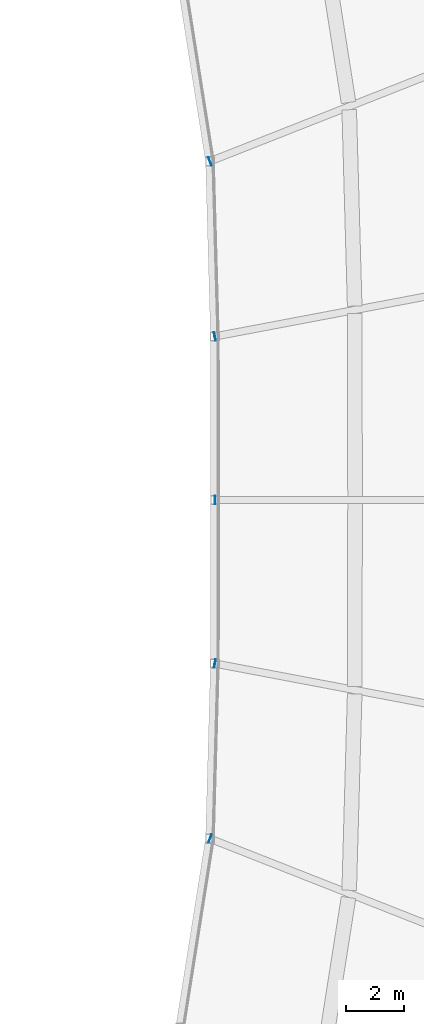
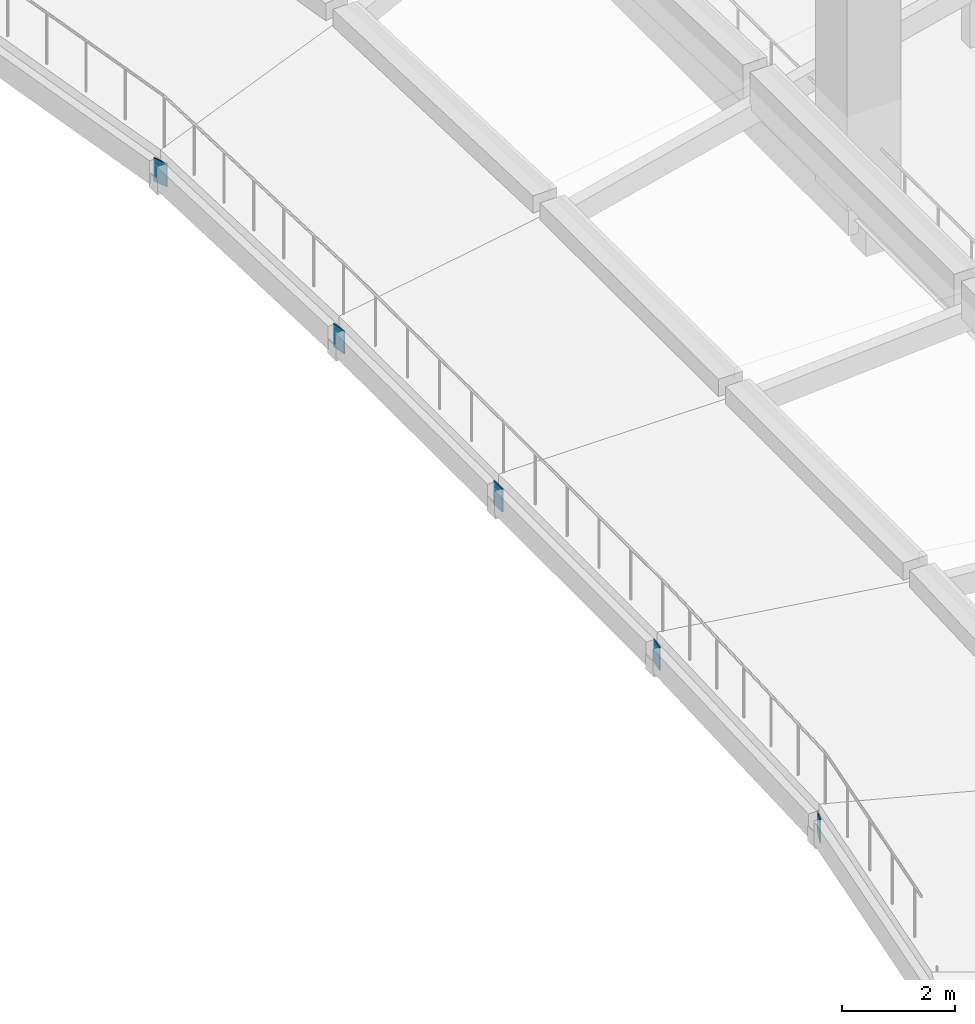
# One storey, part 48 of 77: 5 plates.
"""IFC4 building model written with IfcOpenShell, lengths in metres."""

import ifcopenshell
import ifcopenshell.guid

model = None  # the IFC model being written
_history = None  # IfcOwnerHistory: only IFC2X3 demands one
_inside = {}  # id of a spatial element -> (the spatial element, [elements in it])
_under = {}  # id of a project, library or spatial element -> (it, [spatial elements below it])
_declared = {}  # id of a project -> (the project, [libraries it declares])
_typed = {}  # id of a type object -> (the type object, [elements of that type])
_made_of = {}  # id of a material, layer set ... -> (it, [elements and type objects made of it])


def new_model(schema):
    """Start an empty IFC model of exactly this schema.

    Asked for "IFC4X3", IfcOpenShell would pick the latest addendum, in which some entities
    have other attributes; the version numbers below select the first issue.
    IFC2X3 requires an IfcOwnerHistory on every rooted entity: one is made here for all.
    """
    global model, _history
    if schema == "IFC4X3":
        model = ifcopenshell.file(schema_version=(4, 3, 0, 0))
    else:
        model = ifcopenshell.file(schema=schema)
    _inside.clear()
    _under.clear()
    _declared.clear()
    _typed.clear()
    _made_of.clear()
    _history = None
    if model.schema == "IFC2X3":
        org = make("IfcOrganization", Name="unknown")
        user = make(
            "IfcPersonAndOrganization",
            ThePerson=make("IfcPerson", FamilyName="unknown"),
            TheOrganization=org,
        )
        app = make(
            "IfcApplication",
            ApplicationDeveloper=org,
            Version="unknown",
            ApplicationFullName="unknown",
            ApplicationIdentifier="unknown",
        )
        _history = make(
            "IfcOwnerHistory",
            OwningUser=user,
            OwningApplication=app,
            ChangeAction="ADDED",
            CreationDate=0,
        )
    return model


def make(cls, **values):
    """One entity of the class cls with the attributes given. An attribute that is None is left unset."""
    return model.create_entity(
        cls, **{name: value for name, value in values.items() if value is not None}
    )


def rooted(cls, **values):
    """An entity with a GlobalId (a new one), such as an element, a storey or a relation."""
    return make(cls, GlobalId=ifcopenshell.guid.new(), OwnerHistory=_history, **values)


def si_unit(unit_type, name, prefix=None):
    """IfcSIUnit, for example si_unit("LENGTHUNIT", "METRE", prefix="MILLI")."""
    return make("IfcSIUnit", UnitType=unit_type, Prefix=prefix, Name=name)


def assignment(units):
    """IfcUnitAssignment: the units of a project."""
    return None if units is None else make("IfcUnitAssignment", Units=units)


def point(xyz):
    """IfcCartesianPoint."""
    return None if xyz is None else make("IfcCartesianPoint", Coordinates=xyz)


def direction(xyz):
    """IfcDirection."""
    return None if xyz is None else make("IfcDirection", DirectionRatios=xyz)


def frame(location, z_axis=None, x_axis=None):
    """IfcAxis2Placement3D, a coordinate frame: its origin and axes. An axis left out is left unset."""
    return make(
        "IfcAxis2Placement3D",
        Location=point(location),
        Axis=direction(z_axis),
        RefDirection=direction(x_axis),
    )


def frame_2d(location, x_axis=None):
    """IfcAxis2Placement2D, a coordinate frame in the plane: its origin and x axis."""
    return make(
        "IfcAxis2Placement2D", Location=point(location), RefDirection=direction(x_axis)
    )


def origin():
    """The frame at (0, 0, 0) with its axes left unset."""
    return frame((0.0, 0.0, 0.0))


def origin_2d():
    """The frame at (0, 0) in the plane with its x axis left unset."""
    return frame_2d((0.0, 0.0))


def place(relative_to, where):
    """IfcLocalPlacement: puts the frame where relative to a parent placement (None: the world)."""
    return make(
        "IfcLocalPlacement", PlacementRelTo=relative_to, RelativePlacement=where
    )


def context(
    kind, dimensions, precision=None, world=None, true_north=None, identifier=None
):
    """IfcGeometricRepresentationContext, for example the 3D "Model" context."""
    return make(
        "IfcGeometricRepresentationContext",
        ContextIdentifier=identifier,
        ContextType=kind,
        CoordinateSpaceDimension=dimensions,
        Precision=precision,
        WorldCoordinateSystem=world,
        TrueNorth=true_north,
    )


def subcontext(parent, identifier, kind, view, scale=None):
    """IfcGeometricRepresentationSubContext, for example "Body" below "Model"."""
    return make(
        "IfcGeometricRepresentationSubContext",
        ContextIdentifier=identifier,
        ContextType=kind,
        ParentContext=parent,
        TargetScale=scale,
        TargetView=view,
    )


def project(units=None, contexts=None):
    """IfcProject with its units and contexts."""
    return rooted(
        "IfcProject",
        Name="project",
        RepresentationContexts=contexts,
        UnitsInContext=assignment(units),
    )


def spatial(cls, under=None, at=None, **own):
    """A site, building, storey or space (cls), placed at a placement, below another one or the project."""
    s = rooted(cls, ObjectPlacement=at, **own)
    if under is not None:
        _under.setdefault(under.id(), (under, []))[1].append(s)
    return s


def profile(cls, at=None, kind="AREA", **sizes):
    """A parametric profile (cls). Its sizes go by their IFC names, for example OverallWidth=200.0."""
    return make(cls, ProfileType=kind, Position=at, **sizes)


def rectangle(**sizes):
    """IfcRectangleProfileDef."""
    return profile("IfcRectangleProfileDef", **sizes)


def extrude(swept, where, along, depth):
    """IfcExtrudedAreaSolid: the profile swept, set in the frame where, extruded along a direction by depth."""
    return make(
        "IfcExtrudedAreaSolid",
        SweptArea=swept,
        Position=where,
        ExtrudedDirection=direction(along),
        Depth=depth,
    )


def shape(context_of_items, identifier, shape_type, items):
    """IfcShapeRepresentation: the items that make up one representation, for example the "Body"."""
    return make(
        "IfcShapeRepresentation",
        ContextOfItems=context_of_items,
        RepresentationIdentifier=identifier,
        RepresentationType=shape_type,
        Items=items,
    )


def material(Name=None, Category=None):
    """IfcMaterial."""
    return make("IfcMaterial", Name=Name, Category=Category)


def layer(
    of_material, thickness, ventilated=None, Name=None, Category=None, Priority=None
):
    """IfcMaterialLayer: one layer of a wall or slab, of a material (None: an air gap)."""
    return make(
        "IfcMaterialLayer",
        Material=of_material,
        LayerThickness=thickness,
        IsVentilated=ventilated,
        Name=Name,
        Category=Category,
        Priority=Priority,
    )


def layer_set(layers, Name=None):
    """IfcMaterialLayerSet."""
    return make("IfcMaterialLayerSet", MaterialLayers=layers, LayerSetName=Name)


def made_of(thing, what):
    """Note that an element or type object is made of a material, layer set ...; save() writes the relation."""
    if what is not None:
        _made_of.setdefault(what.id(), (what, []))[1].append(thing)
    return thing


def type_object(cls, material=None, **own):
    """A type object (cls), such as IfcWallType, which elements share."""
    return made_of(rooted(cls, **own), material)


def element(
    cls,
    number,
    at=None,
    inside=None,
    cuts=None,
    type_object=None,
    material=None,
    context=None,
    identifier="Body",
    shape_type=None,
    held_by="IfcProductDefinitionShape",
    body=None,
    shapes=None,
    **own,
):
    """One element of the class cls, such as IfcWall. Its Tag is "e" and its number.

    at: its placement. inside: the storey or other place that contains it. cuts: it is an
    opening in that element (IfcRelVoidsElement). A single representation is given by context,
    identifier, shape_type and body (its items); several are given by shapes. held_by: the class
    of the entity that holds the representations. save() writes the other relations.
    """
    e = rooted(cls, Tag="e%d" % number, ObjectPlacement=at, **own)
    if body is not None:
        shapes = [shape(context, identifier, shape_type, body)]
    if shapes is not None:
        e.Representation = make(held_by, Representations=shapes)
    if inside is not None:
        _inside.setdefault(inside.id(), (inside, []))[1].append(e)
    if cuts is not None:
        rooted(
            "IfcRelVoidsElement", RelatingBuildingElement=cuts, RelatedOpeningElement=e
        )
    if type_object is not None:
        _typed.setdefault(type_object.id(), (type_object, []))[1].append(e)
    return made_of(e, material)


def aggregate(whole, parts):
    """IfcRelAggregates: a whole, such as a stair, and the parts it consists of."""
    return rooted("IfcRelAggregates", RelatingObject=whole, RelatedObjects=parts)


def save(model, path):
    """Write the relations noted so far, then the file.

    IfcRelAggregates (storeys below a building ...), IfcRelContainedInSpatialStructure (elements
    in a storey), IfcRelDefinesByType, IfcRelAssociatesMaterial and IfcRelDeclares: one each for
    every whole, place, type object, material and project.
    """
    for whole, parts in _under.values():
        aggregate(whole, parts)
    for where, things in _inside.values():
        rooted(
            "IfcRelContainedInSpatialStructure",
            RelatedElements=things,
            RelatingStructure=where,
        )
    for kind, things in _typed.values():
        rooted("IfcRelDefinesByType", RelatedObjects=things, RelatingType=kind)
    for what, things in _made_of.values():
        rooted("IfcRelAssociatesMaterial", RelatedObjects=things, RelatingMaterial=what)
    for by, libraries in _declared.values():
        rooted("IfcRelDeclares", RelatingContext=by, RelatedDefinitions=libraries)
    model.write(path)


model = new_model("IFC4")

# Units and contexts
model_context = context("Model", 3, precision=1e-05, world=origin(), true_north=direction((0.0, 1.0)))
body_context = subcontext(model_context, "Body", "Model", "MODEL_VIEW")
ifc_project = project(units=[si_unit("LENGTHUNIT", "METRE"), si_unit("AREAUNIT", "SQUARE_METRE"), si_unit("VOLUMEUNIT", "CUBIC_METRE"), si_unit("PLANEANGLEUNIT", "RADIAN"), si_unit("MASSUNIT", "GRAM", prefix="KILO")], contexts=[model_context])

# Site, building, storey
site_placement = place(None, origin())
site = spatial("IfcSite", under=ifc_project, at=site_placement, CompositionType="ELEMENT")
building_placement = place(site_placement, origin())
building = spatial("IfcBuilding", under=site, at=building_placement, Name="Luwafu Chhajja Arena", CompositionType="ELEMENT")
storey_placement = place(building_placement, frame((0.0, 0.0, 14.699951171875)))
storey = spatial("IfcBuildingStorey", under=building, at=storey_placement, Name="L03", CompositionType="ELEMENT", Elevation=14.699951171875)

# Plates
ifc_material = material(Name="Steel S355", Category="steel")
ifc_layer = layer(ifc_material, 0.02392578125, Name="Steel S355")
ifc_layer_set = layer_set([ifc_layer], Name="Steel S355")
plate_type = type_object("IfcPlateType", Name="Raker Hollow End Closure Plate FN-2", PredefinedType="USERDEFINED", material=ifc_layer_set)
for number, where, z_axis, x_axis, name in (
    (1, (129.5, 49.5, 0.10009765625), (0.0, 0.0, 1.0), (1.0, 0.0, 0.0), "Upper Raker End Cap Plate FN-2 01"),
    (2, (129.49169921875, 55.10791015625, 0.10009765625), (0.0, 0.0, 1.0), (0.982548021317, 0.186009101406, 0.0), "Upper Raker End Cap Plate FN-2 02"),
    (3, (129.323486328125, 61.11328125, 0.10009765625), (0.0, 0.0, 1.0), (0.930318802637, 0.366751858156, 0.0), "Upper Raker End Cap Plate FN-2 03"),
    (4, (129.323486328125, 37.88671875, 0.10009765625), (0.0, 0.0, 1.0), (0.930318802637, -0.366751858156, 0.0), "Upper Raker End Cap Plate FN-2 31"),
    (5, (129.49169921875, 43.89208984375, 0.10009765625), (0.0, 0.0, 1.0), (0.982548021317, -0.186009101406, 0.0), "Upper Raker End Cap Plate FN-2 32"),
):
    element("IfcPlate", number, at=place(storey_placement, frame(where, z_axis=z_axis, x_axis=x_axis)), inside=storey, type_object=plate_type, Name=name, ObjectType="GUSSET PLATE", PredefinedType="USERDEFINED", context=body_context, shape_type="SweptSolid", body=[
        extrude(rectangle(XDim=0.02392578125, YDim=0.300048828125, at=origin_2d()), origin(), (0.0, 0.0, 1.0), 0.5),
    ])

save(model, "model.ifc")
